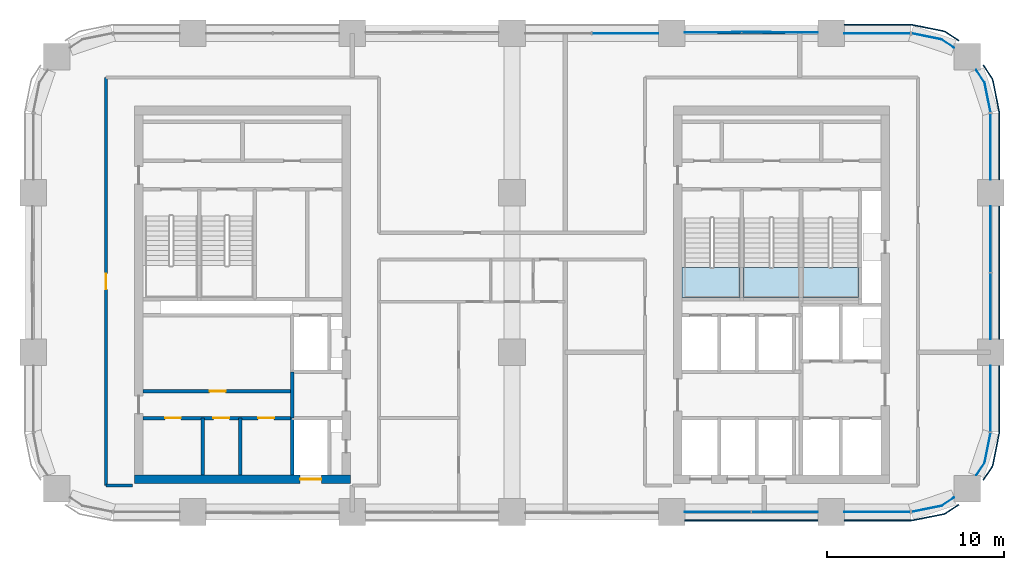
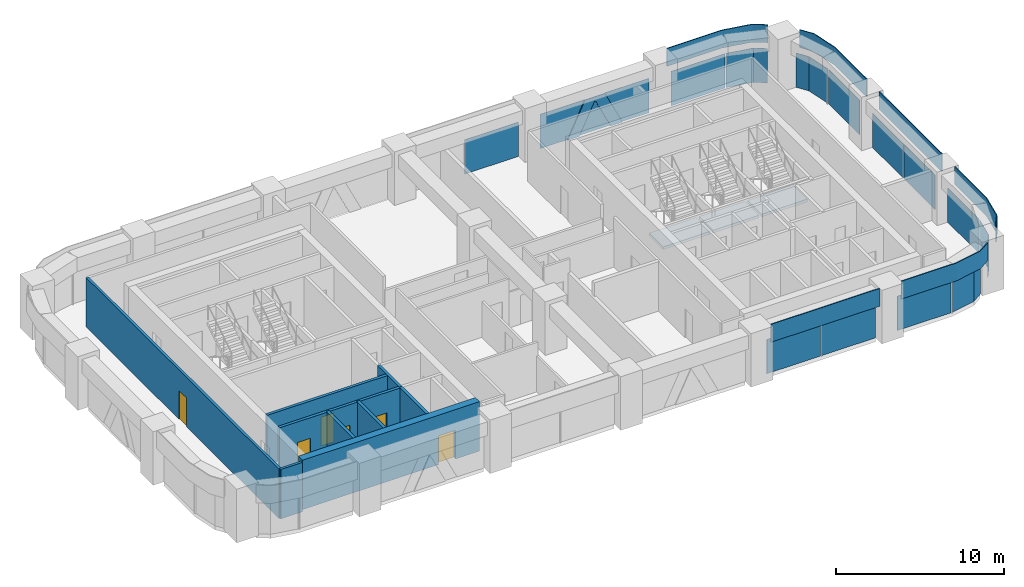
# One storey, part 7 of 18: 23 plates, 9 walls, 6 doors, 3 slabs, 6 openings, 11 elements without a shape of their own.
"""IFC4 building model written with IfcOpenShell, lengths in metres."""

from ifc_helpers import new_model, si_unit, direction, frame, frame_2d, origin, origin_2d, place, context, subcontext, project, spatial, polyline, rectangle, outline, extrude, material, layer, layer_set, type_object, element, fill, aggregate, save


model = new_model("IFC4")

# Units and contexts
model_context = context("Model", 3, precision=1e-05, world=origin(), true_north=direction((0.0, 1.0)))
body_context = subcontext(model_context, "Body", "Model", "MODEL_VIEW")
ifc_project = project(units=[si_unit("LENGTHUNIT", "METRE"), si_unit("AREAUNIT", "SQUARE_METRE"), si_unit("VOLUMEUNIT", "CUBIC_METRE"), si_unit("PLANEANGLEUNIT", "RADIAN"), si_unit("MASSUNIT", "GRAM", prefix="KILO")], contexts=[model_context])

# Site, building, storey
site_placement = place(None, origin())
site = spatial("IfcSite", under=ifc_project, at=site_placement, CompositionType="ELEMENT")
building_placement = place(site_placement, origin())
building = spatial("IfcBuilding", under=site, at=building_placement, Name="Tessera Arch", CompositionType="ELEMENT")
storey_placement = place(building_placement, frame((0.0, 0.0, 154.39990234375)))
storey = spatial("IfcBuildingStorey", under=building, at=storey_placement, Name="L36", CompositionType="ELEMENT", Elevation=154.39990234375)

# Curtain wall, plates
ifc_material_1 = material(Name="CW1 curtain wall")
curtain_wall_type_1 = type_object("IfcCurtainWallType", Name="CW1 curtain wall", PredefinedType="NOTDEFINED", material=ifc_material_1)
curtain_wall_1_placement = place(storey_placement, origin())
curtain_wall_1 = element("IfcCurtainWall", 1, at=curtain_wall_1_placement, inside=storey, type_object=curtain_wall_type_1, Name="CW1 curtain wall E54.27/0 L36", PredefinedType="NOTDEFINED")
ifc_material_2 = material(Name="Clear low-e glass", Category="glass")
ifc_material_3 = material(Name="Clear low-e glass", Category="glass")
ifc_layer_1 = layer(ifc_material_3, 0.028076171875)
ifc_layer_set_1 = layer_set([ifc_layer_1], Name="CW1 glass panel")
plate_type_1 = type_object("IfcPlateType", Name="CW1 glass panel", PredefinedType="CURTAIN_PANEL", material=ifc_layer_set_1)
plate_1_placement = place(storey_placement, frame((54.0, 38.610107421875, 0.0), z_axis=(0.0, 0.0, 1.0), x_axis=(0.0, 1.0, 0.0)))
plate_1 = element("IfcPlate", 2, at=plate_1_placement, type_object=plate_type_1, material=ifc_material_2, Name="CW1 glass panel E54.27/0 1.1.1", PredefinedType="CURTAIN_PANEL", context=body_context, shape_type="SweptSolid", body=[
    extrude(rectangle(XDim=3.719970703125, YDim=0.028076171875, at=origin_2d()), origin(), (0.0, 0.0, 1.0), 2.5),
])
plate_2_placement = place(storey_placement, frame((54.0, 42.389892578125, 0.0), z_axis=(0.0, 0.0, 1.0), x_axis=(0.0, 1.0, 0.0)))
plate_2 = element("IfcPlate", 3, at=plate_2_placement, type_object=plate_type_1, material=ifc_material_2, Name="CW1 glass panel E54.27/0 1.2.1", PredefinedType="CURTAIN_PANEL", context=body_context, shape_type="SweptSolid", body=[
    extrude(rectangle(XDim=3.719970703125, YDim=0.028076171875, at=origin_2d()), origin(), (0.0, 0.0, 1.0), 2.5),
])

# Curtain wall, plate
curtain_wall_2_placement = place(storey_placement, origin())
curtain_wall_2 = element("IfcCurtainWall", 4, at=curtain_wall_2_placement, inside=storey, type_object=curtain_wall_type_1, Name="CW1 curtain wall N54.0/2 L36", PredefinedType="NOTDEFINED")
plate_3_placement = place(storey_placement, frame((33.389892578125, 54.0, 0.0), z_axis=(0.0, 0.0, 1.0), x_axis=(-1.0, 0.0, 0.0)))
plate_3 = element("IfcPlate", 5, at=plate_3_placement, type_object=plate_type_1, material=ifc_material_2, Name="CW1 glass panel N54.0/2 1.1.1", PredefinedType="CURTAIN_PANEL", context=body_context, shape_type="SweptSolid", body=[
    extrude(rectangle(XDim=3.719970703125, YDim=0.028076171875, at=origin_2d()), origin(), (0.0, 0.0, 1.0), 2.5),
])
aggregate(curtain_wall_2, [plate_3])

# Curtain wall, plates
curtain_wall_3_placement = place(storey_placement, origin())
curtain_wall_3 = element("IfcCurtainWall", 6, at=curtain_wall_3_placement, inside=storey, type_object=curtain_wall_type_1, Name="CW1 curtain wall S27.0/4 L36", PredefinedType="NOTDEFINED")
plate_4_placement = place(storey_placement, frame((38.610107421875, 27.0, 0.0), z_axis=(0.0, 0.0, 1.0), x_axis=(1.0, 0.0, 0.0)))
plate_4 = element("IfcPlate", 7, at=plate_4_placement, type_object=plate_type_1, material=ifc_material_2, Name="CW1 glass panel S27.0/4 1.1.1", PredefinedType="CURTAIN_PANEL", context=body_context, shape_type="SweptSolid", body=[
    extrude(rectangle(XDim=3.719970703125, YDim=0.028076171875, at=origin_2d()), origin(), (0.0, 0.0, 1.0), 2.5),
])
plate_5_placement = place(storey_placement, frame((42.389892578125, 27.0, 0.0), z_axis=(0.0, 0.0, 1.0), x_axis=(1.0, 0.0, 0.0)))
plate_5 = element("IfcPlate", 8, at=plate_5_placement, type_object=plate_type_1, material=ifc_material_2, Name="CW1 glass panel S27.0/4 1.2.1", PredefinedType="CURTAIN_PANEL", context=body_context, shape_type="SweptSolid", body=[
    extrude(rectangle(XDim=3.719970703125, YDim=0.028076171875, at=origin_2d()), origin(), (0.0, 0.0, 1.0), 2.5),
])

# Plate
ifc_material_4 = material(Name="Pale anodised aluminium panel", Category="aluminium")
ifc_layer_2 = layer(ifc_material_4, 0.06005859375)
ifc_layer_set_2 = layer_set([ifc_layer_2], Name="CW1 spandrel panel")
plate_type_2 = type_object("IfcPlateType", Name="CW1 spandrel panel", PredefinedType="CURTAIN_PANEL", material=ifc_layer_set_2)
plate_6_placement = place(storey_placement, frame((54.47998046875, 40.5, 2.60009765625), z_axis=(0.0, 0.0, 1.0), x_axis=(0.0, 1.0, 0.0)))
plate_6 = element("IfcPlate", 9, at=plate_6_placement, type_object=plate_type_2, Name="CW1 spandrel panel E54.27/0", PredefinedType="CURTAIN_PANEL", context=body_context, shape_type="SweptSolid", body=[
    extrude(rectangle(XDim=7.5, YDim=0.06005859375, at=origin_2d()), origin(), (0.0, 0.0, 1.0), 1.300048828125),
])

aggregate(curtain_wall_1, [plate_1, plate_2, plate_6])

plate_7_placement = place(storey_placement, frame((40.5, 26.52001953125, 2.60009765625), z_axis=(0.0, 0.0, 1.0), x_axis=(1.0, 0.0, 0.0)))
plate_7 = element("IfcPlate", 10, at=plate_7_placement, type_object=plate_type_2, Name="CW1 spandrel panel S27.0/4", PredefinedType="CURTAIN_PANEL", context=body_context, shape_type="SweptSolid", body=[
    extrude(rectangle(XDim=7.5, YDim=0.06005859375, at=origin_2d()), origin(), (0.0, 0.0, 1.0), 1.300048828125),
])

aggregate(curtain_wall_3, [plate_4, plate_5, plate_7])

# Curtain wall, plates
ifc_material_5 = material(Name="CW2 curtain wall")
curtain_wall_type_2 = type_object("IfcCurtainWallType", Name="CW2 curtain wall", PredefinedType="NOTDEFINED", material=ifc_material_5)
curtain_wall_4_placement = place(storey_placement, origin())
curtain_wall_4 = element("IfcCurtainWall", 11, at=curtain_wall_4_placement, inside=storey, type_object=curtain_wall_type_2, Name="CW2 curtain wall E54.27/1 L36", PredefinedType="NOTDEFINED")
ifc_material_6 = material(Name="Clear low-e glass", Category="glass")
ifc_layer_3 = layer(ifc_material_6, 0.028076171875)
ifc_layer_set_3 = layer_set([ifc_layer_3], Name="CW2 glass panel")
plate_type_3 = type_object("IfcPlateType", Name="CW2 glass panel", PredefinedType="CURTAIN_PANEL", material=ifc_layer_set_3)
plate_8_placement = place(storey_placement, frame((54.0, 47.60498046875, 0.0), z_axis=(0.0, 0.0, 1.0), x_axis=(0.0, 1.0, 0.0)))
plate_8 = element("IfcPlate", 12, at=plate_8_placement, type_object=plate_type_3, material=ifc_material_2, Name="CW2 glass panel E54.27/1 1.1", PredefinedType="CURTAIN_PANEL", context=body_context, shape_type="SweptSolid", body=[
    extrude(rectangle(XDim=3.7099609375, YDim=0.028076171875, at=origin_2d()), origin(), (0.0, 0.0, 1.0), 2.5),
])
plate_9_placement = place(storey_placement, origin())
plate_9 = element("IfcPlate", 13, at=plate_9_placement, type_object=plate_type_3, material=ifc_material_2, Name="CW2 curved glass panel E54.27/1 2.1", PredefinedType="CURTAIN_PANEL", context=body_context, shape_type="SweptSolid", body=[
    extrude(outline(polyline([(53.644287109375, 51.216552734375), (53.978515625, 49.53662109375), (54.005859375, 49.5419921875), (53.670654296875, 51.2275390625), (53.19482421875, 51.939697265625), (53.17138671875, 51.92431640625), (53.644287109375, 51.216552734375)])), origin(), (0.0, 0.0, 1.0), 2.5),
])

curtain_wall_5_placement = place(storey_placement, origin())
curtain_wall_5 = element("IfcCurtainWall", 14, at=curtain_wall_5_placement, inside=storey, type_object=curtain_wall_type_2, Name="CW2 curtain wall N54.0/0 L36", PredefinedType="NOTDEFINED")
plate_10_placement = place(storey_placement, frame((47.60498046875, 54.0, 0.0), z_axis=(0.0, 0.0, 1.0), x_axis=(-1.0, 0.0, 0.0)))
plate_10 = element("IfcPlate", 15, at=plate_10_placement, type_object=plate_type_3, material=ifc_material_2, Name="CW2 glass panel N54.0/0 1.1", PredefinedType="CURTAIN_PANEL", context=body_context, shape_type="SweptSolid", body=[
    extrude(rectangle(XDim=3.7099609375, YDim=0.028076171875, at=origin_2d()), origin(), (0.0, 0.0, 1.0), 2.5),
])
plate_11_placement = place(storey_placement, origin())
plate_11 = element("IfcPlate", 16, at=plate_11_placement, type_object=plate_type_3, material=ifc_material_2, Name="CW2 curved glass panel N54.0/0 2.1", PredefinedType="CURTAIN_PANEL", context=body_context, shape_type="SweptSolid", body=[
    extrude(outline(polyline([(51.216552734375, 53.644287109375), (51.92431640625, 53.17138671875), (51.939697265625, 53.19482421875), (51.2275390625, 53.670654296875), (49.5419921875, 54.005859375), (49.53662109375, 53.978515625), (51.216552734375, 53.644287109375)])), origin(), (0.0, 0.0, 1.0), 2.5),
])

curtain_wall_6_placement = place(storey_placement, origin())
curtain_wall_6 = element("IfcCurtainWall", 17, at=curtain_wall_6_placement, inside=storey, type_object=curtain_wall_type_2, Name="CW2 curtain wall S27.0/5 L36", PredefinedType="NOTDEFINED")
plate_12_placement = place(storey_placement, frame((47.60498046875, 27.0, 0.0), z_axis=(0.0, 0.0, 1.0), x_axis=(1.0, 0.0, 0.0)))
plate_12 = element("IfcPlate", 18, at=plate_12_placement, type_object=plate_type_3, material=ifc_material_2, Name="CW2 glass panel S27.0/5 1.1", PredefinedType="CURTAIN_PANEL", context=body_context, shape_type="SweptSolid", body=[
    extrude(rectangle(XDim=3.7099609375, YDim=0.028076171875, at=origin_2d()), origin(), (0.0, 0.0, 1.0), 2.5),
])
plate_13_placement = place(storey_placement, origin())
plate_13 = element("IfcPlate", 19, at=plate_13_placement, type_object=plate_type_3, material=ifc_material_2, Name="CW2 curved glass panel S27.0/5 2.1", PredefinedType="CURTAIN_PANEL", context=body_context, shape_type="SweptSolid", body=[
    extrude(outline(polyline([(51.216552734375, 27.355712890625), (49.53662109375, 27.021484375), (49.5419921875, 26.994140625), (51.2275390625, 27.329345703125), (51.939697265625, 27.80517578125), (51.92431640625, 27.82861328125), (51.216552734375, 27.355712890625)])), origin(), (0.0, 0.0, 1.0), 2.5),
])

curtain_wall_7_placement = place(storey_placement, origin())
curtain_wall_7 = element("IfcCurtainWall", 20, at=curtain_wall_7_placement, inside=storey, type_object=curtain_wall_type_2, Name="CW2 curtain wall E54.27/2 L36", PredefinedType="NOTDEFINED")
plate_14_placement = place(storey_placement, frame((54.0, 33.39501953125, 0.0), z_axis=(0.0, 0.0, 1.0), x_axis=(0.0, 1.0, 0.0)))
plate_14 = element("IfcPlate", 21, at=plate_14_placement, type_object=plate_type_3, material=ifc_material_2, Name="CW2 glass panel E54.27/2 1.1", PredefinedType="CURTAIN_PANEL", context=body_context, shape_type="SweptSolid", body=[
    extrude(rectangle(XDim=3.7099609375, YDim=0.028076171875, at=origin_2d()), origin(), (0.0, 0.0, 1.0), 2.5),
])
plate_15_placement = place(storey_placement, origin())
plate_15 = element("IfcPlate", 22, at=plate_15_placement, type_object=plate_type_3, material=ifc_material_2, Name="CW2 curved glass panel E54.27/2 2.1", PredefinedType="CURTAIN_PANEL", context=body_context, shape_type="SweptSolid", body=[
    extrude(outline(polyline([(53.644287109375, 29.783447265625), (53.17138671875, 29.07568359375), (53.19482421875, 29.060302734375), (53.670654296875, 29.7724609375), (54.005859375, 31.4580078125), (53.978515625, 31.46337890625), (53.644287109375, 29.783447265625)])), origin(), (0.0, 0.0, 1.0), 2.5),
])

# Plate
ifc_material_7 = material(Name="Pale anodised aluminium panel", Category="aluminium")
ifc_layer_4 = layer(ifc_material_7, 0.06005859375)
ifc_layer_set_4 = layer_set([ifc_layer_4], Name="CW2 spandrel panel")
plate_type_4 = type_object("IfcPlateType", Name="CW2 spandrel panel", PredefinedType="CURTAIN_PANEL", material=ifc_layer_set_4)
plate_16_placement = place(storey_placement, frame((0.0, 0.0, 2.60009765625)))
plate_16 = element("IfcPlate", 23, at=plate_16_placement, type_object=plate_type_4, Name="CW2 spandrel panel E54.27/1", PredefinedType="CURTAIN_PANEL", context=body_context, shape_type="SweptSolid", body=[
    extrude(outline(polyline([(54.449951171875, 49.499267578125), (54.449951171875, 45.75), (54.510009765625, 45.75), (54.510009765625, 49.500732421875), (54.507568359375, 49.550048828125), (54.500244140625, 49.598876953125), (54.157470703125, 51.322265625), (54.1455078125, 51.3701171875), (54.128662109375, 51.417236328125), (54.107421875, 51.462646484375), (54.08203125, 51.5048828125), (53.607177734375, 52.21533203125), (53.55712890625, 52.18212890625), (54.03125, 51.47265625), (54.054443359375, 51.434326171875), (54.0732421875, 51.394287109375), (54.088134765625, 51.352783203125), (54.09912109375, 51.30908203125), (54.441162109375, 49.588623046875), (54.44775390625, 49.544189453125), (54.449951171875, 49.499267578125)])), origin(), (0.0, 0.0, 1.0), 1.300048828125),
])

aggregate(curtain_wall_4, [plate_8, plate_9, plate_16])

plate_17_placement = place(storey_placement, frame((0.0, 0.0, 2.60009765625)))
plate_17 = element("IfcPlate", 24, at=plate_17_placement, type_object=plate_type_4, Name="CW2 spandrel panel N54.0/0", PredefinedType="CURTAIN_PANEL", context=body_context, shape_type="SweptSolid", body=[
    extrude(outline(polyline([(51.47265625, 54.03125), (52.18212890625, 53.55712890625), (52.21533203125, 53.607177734375), (51.5048828125, 54.08203125), (51.462646484375, 54.107421875), (51.417236328125, 54.128662109375), (51.3701171875, 54.1455078125), (51.322265625, 54.157470703125), (49.598876953125, 54.500244140625), (49.550048828125, 54.507568359375), (49.500732421875, 54.510009765625), (45.75, 54.510009765625), (45.75, 54.449951171875), (49.499267578125, 54.449951171875), (49.544189453125, 54.44775390625), (49.588623046875, 54.441162109375), (51.30908203125, 54.09912109375), (51.352783203125, 54.088134765625), (51.394287109375, 54.0732421875), (51.434326171875, 54.054443359375), (51.47265625, 54.03125)])), origin(), (0.0, 0.0, 1.0), 1.300048828125),
])

aggregate(curtain_wall_5, [plate_10, plate_11, plate_17])

plate_18_placement = place(storey_placement, frame((0.0, 0.0, 2.60009765625)))
plate_18 = element("IfcPlate", 25, at=plate_18_placement, type_object=plate_type_4, Name="CW2 spandrel panel S27.0/5", PredefinedType="CURTAIN_PANEL", context=body_context, shape_type="SweptSolid", body=[
    extrude(outline(polyline([(49.499267578125, 26.550048828125), (45.75, 26.550048828125), (45.75, 26.489990234375), (49.500732421875, 26.489990234375), (49.550048828125, 26.492431640625), (49.598876953125, 26.499755859375), (51.322265625, 26.842529296875), (51.3701171875, 26.8544921875), (51.417236328125, 26.871337890625), (51.462646484375, 26.892578125), (51.5048828125, 26.91796875), (52.21533203125, 27.392822265625), (52.18212890625, 27.44287109375), (51.47265625, 26.96875), (51.434326171875, 26.945556640625), (51.394287109375, 26.9267578125), (51.352783203125, 26.911865234375), (51.30908203125, 26.90087890625), (49.588623046875, 26.558837890625), (49.544189453125, 26.55224609375), (49.499267578125, 26.550048828125)])), origin(), (0.0, 0.0, 1.0), 1.300048828125),
])

aggregate(curtain_wall_6, [plate_12, plate_13, plate_18])

plate_19_placement = place(storey_placement, frame((0.0, 0.0, 2.60009765625)))
plate_19 = element("IfcPlate", 26, at=plate_19_placement, type_object=plate_type_4, Name="CW2 spandrel panel E54.27/2", PredefinedType="CURTAIN_PANEL", context=body_context, shape_type="SweptSolid", body=[
    extrude(outline(polyline([(54.03125, 29.52734375), (53.55712890625, 28.81787109375), (53.607177734375, 28.78466796875), (54.08203125, 29.4951171875), (54.107421875, 29.537353515625), (54.128662109375, 29.582763671875), (54.1455078125, 29.6298828125), (54.157470703125, 29.677734375), (54.500244140625, 31.401123046875), (54.507568359375, 31.449951171875), (54.510009765625, 31.499267578125), (54.510009765625, 35.25), (54.449951171875, 35.25), (54.449951171875, 31.500732421875), (54.44775390625, 31.455810546875), (54.441162109375, 31.411376953125), (54.09912109375, 29.69091796875), (54.088134765625, 29.647216796875), (54.0732421875, 29.605712890625), (54.054443359375, 29.565673828125), (54.03125, 29.52734375)])), origin(), (0.0, 0.0, 1.0), 1.300048828125),
])

aggregate(curtain_wall_7, [plate_14, plate_15, plate_19])

# Curtain wall, plates
ifc_material_8 = material(Name="CW3 curtain wall")
curtain_wall_type_3 = type_object("IfcCurtainWallType", Name="CW3 curtain wall", PredefinedType="NOTDEFINED", material=ifc_material_8)
curtain_wall_8_placement = place(storey_placement, origin())
curtain_wall_8 = element("IfcCurtainWall", 27, at=curtain_wall_8_placement, inside=storey, type_object=curtain_wall_type_3, Name="CW3 curtain wall N54.0/1 L36", PredefinedType="NOTDEFINED")
ifc_material_9 = material(Name="Pale anodised aluminium panel", Category="aluminium")
ifc_layer_5 = layer(ifc_material_9, 0.06005859375)
ifc_layer_set_5 = layer_set([ifc_layer_5], Name="CW3 diagonal panel")
plate_type_5 = type_object("IfcPlateType", Name="CW3 diagonal panel", PredefinedType="CURTAIN_PANEL", material=ifc_layer_set_5)
plate_20_placement = place(storey_placement, frame((39.811279296875, 54.030029296875, 2.5), z_axis=(0.0, 1.0, 0.0), x_axis=(1.0, 0.0, 0.0)))
plate_20 = element("IfcPlate", 28, at=plate_20_placement, type_object=plate_type_5, Name="CW3 diagonal panel N54.0/1 1", PredefinedType="CURTAIN_PANEL", context=body_context, shape_type="SweptSolid", body=[
    extrude(outline(polyline([(0.0, 0.0), (1.37744140625, 0.0), (2.579345703125, 2.5), (1.77880859375, 2.5), (0.688720703125, 0.232421875), (-0.4013671875, 2.5), (-1.201904296875, 2.5), (0.0, 0.0)])), origin(), (0.0, 0.0, -1.0), 0.06005859375),
])
ifc_material_10 = material(Name="Clear low-e glass", Category="glass")
ifc_layer_6 = layer(ifc_material_10, 0.028076171875)
ifc_layer_set_6 = layer_set([ifc_layer_6], Name="CW3 glass panel")
plate_type_6 = type_object("IfcPlateType", Name="CW3 glass panel", PredefinedType="CURTAIN_PANEL", material=ifc_layer_set_6)
plate_21_placement = place(storey_placement, frame((44.25, 54.05810546875, 0.0), z_axis=(0.0, 1.0, 0.0), x_axis=(-1.0, 0.0, 0.0)))
plate_21 = element("IfcPlate", 29, at=plate_21_placement, type_object=plate_type_6, material=ifc_material_2, Name="CW3 triangulated glass panel N54.0/1 1", PredefinedType="CURTAIN_PANEL", context=body_context, shape_type="SweptSolid", body=[
    extrude(outline(polyline([(0.0, 0.0), (1.859375, 0.0), (3.061279296875, 2.5), (0.0, 2.5), (0.0, 0.0)])), origin(), (0.0, 0.0, -1.0), 0.028076171875),
])
plate_22_placement = place(storey_placement, frame((41.590087890625, 54.0859375, 0.0), z_axis=(0.0, 1.0, 0.0), x_axis=(-1.0, 0.0, 0.0)))
plate_22 = element("IfcPlate", 30, at=plate_22_placement, type_object=plate_type_6, material=ifc_material_2, Name="CW3 triangulated glass panel N54.0/1 2", PredefinedType="CURTAIN_PANEL", context=body_context, shape_type="SweptSolid", body=[
    extrude(outline(polyline([(0.0, 0.0), (2.18017578125, 0.0), (1.090087890625, 2.267578125), (0.0, 0.0)])), origin(), (0.0, 0.0, -1.0), 0.028076171875),
])
plate_23_placement = place(storey_placement, frame((36.75, 54.05810546875, 2.5), z_axis=(0.0, 1.0, 0.0), x_axis=(1.0, 0.0, 0.0)))
plate_23 = element("IfcPlate", 31, at=plate_23_placement, type_object=plate_type_6, material=ifc_material_2, Name="CW3 triangulated glass panel N54.0/1 3", PredefinedType="CURTAIN_PANEL", context=body_context, shape_type="SweptSolid", body=[
    extrude(outline(polyline([(0.0, 0.0), (3.061279296875, 0.0), (1.859375, 2.5), (0.0, 2.5), (0.0, 0.0)])), origin(), (0.0, 0.0, -1.0), 0.028076171875),
])
aggregate(curtain_wall_8, [plate_21, plate_22, plate_23, plate_20])

# Stair, slab
ifc_material_11 = material(Name="Concrete C40/50", Category="concrete")
stair_type = type_object("IfcStairType", Name="Dogleg stair 1520", PredefinedType="HALF_TURN_STAIR", material=ifc_material_11)
stair_1_placement = place(storey_placement, origin())
stair_1 = element("IfcStair", 32, at=stair_1_placement, inside=storey, type_object=stair_type, Name="L36 S1a", PredefinedType="HALF_TURN_STAIR")
ifc_material_12 = material(Name="Concrete C40/50", Category="concrete")
ifc_layer_7 = layer(ifc_material_12, 0.300048828125)
ifc_layer_set_7 = layer_set([ifc_layer_7], Name="Stair landing 300")
slab_type = type_object("IfcSlabType", Name="Stair landing 300", PredefinedType="LANDING", material=ifc_layer_set_7)
slab_1_placement = place(storey_placement, frame((0.0, 0.0, 1.75)))
slab_1 = element("IfcSlab", 33, at=slab_1_placement, type_object=slab_type, Name="S1a landing 1", PredefinedType="LANDING", context=body_context, shape_type="SweptSolid", body=[
    extrude(outline(polyline([(36.60009765625, 40.780029296875), (36.60009765625, 39.10009765625), (39.85009765625, 39.10009765625), (39.85009765625, 40.780029296875), (36.60009765625, 40.780029296875)])), origin(), (0.0, 0.0, 1.0), 0.2001953125),
])
aggregate(stair_1, [slab_1])

stair_2_placement = place(storey_placement, origin())
stair_2 = element("IfcStair", 34, at=stair_2_placement, inside=storey, type_object=stair_type, Name="L36 S1b", PredefinedType="HALF_TURN_STAIR")
slab_2_placement = place(storey_placement, frame((0.0, 0.0, 1.75)))
slab_2 = element("IfcSlab", 35, at=slab_2_placement, type_object=slab_type, Name="S1b landing 1", PredefinedType="LANDING", context=body_context, shape_type="SweptSolid", body=[
    extrude(outline(polyline([(40.050048828125, 40.780029296875), (40.050048828125, 39.10009765625), (43.199951171875, 39.10009765625), (43.199951171875, 40.780029296875), (40.050048828125, 40.780029296875)])), origin(), (0.0, 0.0, 1.0), 0.2001953125),
])
aggregate(stair_2, [slab_2])

stair_3_placement = place(storey_placement, origin())
stair_3 = element("IfcStair", 36, at=stair_3_placement, inside=storey, type_object=stair_type, Name="L36 S1c", PredefinedType="HALF_TURN_STAIR")
slab_3_placement = place(storey_placement, frame((0.0, 0.0, 1.75)))
slab_3 = element("IfcSlab", 37, at=slab_3_placement, type_object=slab_type, Name="S1c landing 1", PredefinedType="LANDING", context=body_context, shape_type="SweptSolid", body=[
    extrude(outline(polyline([(43.39990234375, 40.780029296875), (43.39990234375, 39.10009765625), (46.550048828125, 39.10009765625), (46.550048828125, 40.780029296875), (43.39990234375, 40.780029296875)])), origin(), (0.0, 0.0, 1.0), 0.2001953125),
])
aggregate(stair_3, [slab_3])

# Walls
ifc_material_13 = material(Name="Gypsum board on steel stud", Category="steel")
ifc_layer_8 = layer(ifc_material_13, 0.125)
ifc_layer_set_8 = layer_set([ifc_layer_8], Name="Core partition 125 EI 60")
wall_type_1 = type_object("IfcWallType", Name="Core partition 125 EI 60", PredefinedType="PARTITIONING", material=ifc_layer_set_8)
for number, where, z_axis, x_axis, name in (
    (38, (9.56005859375, 29.10009765625, 0.0), (0.0, 0.0, 1.0), (0.0, 1.0, 0.0), "L36 C2 partition wall 3"),
    (39, (11.659912109375, 29.10009765625, 0.0), (0.0, 0.0, 1.0), (0.0, 1.0, 0.0), "L36 C2 partition wall 4"),
):
    element("IfcWall", number, at=place(storey_placement, frame(where, z_axis=z_axis, x_axis=x_axis)), inside=storey, type_object=wall_type_1, Name=name, PredefinedType="PARTITIONING", context=body_context, shape_type="SweptSolid", body=[
        extrude(rectangle(XDim=3.199951171875, YDim=0.199951171875, at=frame_2d((1.60009765625, 0.0))), origin(), (0.0, 0.0, 1.0), 3.60009765625),
    ])
wall_1_placement = place(storey_placement, frame((14.60009765625, 32.300048828125, 0.0), z_axis=(0.0, 0.0, 1.0), x_axis=(0.0, 1.0, 0.0)))
element("IfcWall", 40, at=wall_1_placement, inside=storey, type_object=wall_type_1, Name="L36 C2 partition wall 8", PredefinedType="PARTITIONING", context=body_context, shape_type="SweptSolid", body=[
    extrude(rectangle(XDim=2.599853515625, YDim=0.199951171875, at=frame_2d((1.2998046875, 0.0))), origin(), (0.0, 0.0, 1.0), 3.60009765625),
])

# Wall, openings, doors
wall_2_placement = place(storey_placement, frame((6.199951171875, 32.300048828125, 0.0), z_axis=(0.0, 0.0, 1.0), x_axis=(1.0, 0.0, 0.0)))
wall_2 = element("IfcWall", 41, at=wall_2_placement, inside=storey, type_object=wall_type_1, Name="L36 C2 partition wall 14", PredefinedType="PARTITIONING", context=body_context, shape_type="SweptSolid", body=[
    extrude(rectangle(XDim=8.400146484375, YDim=0.199951171875, at=frame_2d((4.2001953125, 0.0))), origin(), (0.0, 0.0, 1.0), 3.60009765625),
])
opening_1_placement = place(wall_2_placement, frame((1.22998046875, 0.0, 0.0)))
opening_1 = element("IfcOpeningElement", 42, at=opening_1_placement, cuts=wall_2, Name="Opening L36-C34", PredefinedType="OPENING", context=body_context, shape_type="SweptSolid", body=[
    extrude(rectangle(XDim=0.89990234375, YDim=2.10009765625, at=frame_2d((0.449951171875, 1.050048828125))), frame((0.0, 0.10986328125, 0.0), z_axis=(0.0, -1.0, 0.0), x_axis=(1.0, 0.0, 0.0)), (0.0, 0.0, 1.0), 0.219970703125),
])
opening_2_placement = place(wall_2_placement, frame((3.9599609375, 0.0, 0.0)))
opening_2 = element("IfcOpeningElement", 43, at=opening_2_placement, cuts=wall_2, Name="Opening L36-C35", PredefinedType="OPENING", context=body_context, shape_type="SweptSolid", body=[
    extrude(rectangle(XDim=0.89990234375, YDim=2.10009765625, at=frame_2d((0.449951171875, 1.050048828125))), frame((0.0, 0.10986328125, 0.0), z_axis=(0.0, -1.0, 0.0), x_axis=(1.0, 0.0, 0.0)), (0.0, 0.0, 1.0), 0.219970703125),
])
opening_3_placement = place(wall_2_placement, frame((6.47998046875, 0.0, 0.0)))
opening_3 = element("IfcOpeningElement", 44, at=opening_3_placement, cuts=wall_2, Name="Opening L36-C36", PredefinedType="OPENING", context=body_context, shape_type="SweptSolid", body=[
    extrude(rectangle(XDim=0.89990234375, YDim=2.10009765625, at=frame_2d((0.449951171875, 1.050048828125))), frame((0.0, 0.10986328125, 0.0), z_axis=(0.0, -1.0, 0.0), x_axis=(1.0, 0.0, 0.0)), (0.0, 0.0, 1.0), 0.219970703125),
])
ifc_material_14 = material(Name="Steel door leaf", Category="steel")
door_type_1 = type_object("IfcDoorType", Name="Store door FD30S 900 x 2100", OperationType="SINGLE_SWING_LEFT", PredefinedType="DOOR", material=ifc_material_14)
door_1_placement = place(opening_1_placement, origin())
door_1 = element("IfcDoor", 45, at=door_1_placement, inside=storey, type_object=door_type_1, Name="L36 C2 door 14 C34 type D09", OperationType="SINGLE_SWING_LEFT", OverallHeight=2.10009765625, OverallWidth=0.89990234375, PredefinedType="DOOR", context=body_context, shape_type="SweptSolid", body=[
    extrude(rectangle(XDim=0.89990234375, YDim=2.10009765625, at=frame_2d((0.449951171875, 1.050048828125))), frame((0.0, 0.02490234375, 0.0), z_axis=(0.0, -1.0, 0.0), x_axis=(1.0, 0.0, 0.0)), (0.0, 0.0, 1.0), 0.050048828125),
])
fill(opening_1, door_1)
door_2_placement = place(opening_2_placement, origin())
door_2 = element("IfcDoor", 46, at=door_2_placement, inside=storey, type_object=door_type_1, Name="L36 C2 door 15 C35 type D09", OperationType="SINGLE_SWING_RIGHT", OverallHeight=2.10009765625, OverallWidth=0.89990234375, PredefinedType="DOOR", context=body_context, shape_type="SweptSolid", body=[
    extrude(rectangle(XDim=0.89990234375, YDim=2.10009765625, at=frame_2d((0.449951171875, 1.050048828125))), frame((0.0, 0.02490234375, 0.0), z_axis=(0.0, -1.0, 0.0), x_axis=(1.0, 0.0, 0.0)), (0.0, 0.0, 1.0), 0.050048828125),
])
fill(opening_2, door_2)
door_3_placement = place(opening_3_placement, origin())
door_3 = element("IfcDoor", 47, at=door_3_placement, inside=storey, type_object=door_type_1, Name="L36 C2 door 16 C36 type D09", OperationType="SINGLE_SWING_RIGHT", OverallHeight=2.10009765625, OverallWidth=0.89990234375, PredefinedType="DOOR", context=body_context, shape_type="SweptSolid", body=[
    extrude(rectangle(XDim=0.89990234375, YDim=2.10009765625, at=frame_2d((0.449951171875, 1.050048828125))), frame((0.0, 0.02490234375, 0.0), z_axis=(0.0, -1.0, 0.0), x_axis=(1.0, 0.0, 0.0)), (0.0, 0.0, 1.0), 0.050048828125),
])
fill(opening_3, door_3)

# Wall, opening, door
wall_3_placement = place(storey_placement, frame((6.199951171875, 33.800048828125, 0.0), z_axis=(0.0, 0.0, 1.0), x_axis=(1.0, 0.0, 0.0)))
wall_3 = element("IfcWall", 48, at=wall_3_placement, inside=storey, type_object=wall_type_1, Name="L36 C2 partition wall 16", PredefinedType="PARTITIONING", context=body_context, shape_type="SweptSolid", body=[
    extrude(rectangle(XDim=8.400146484375, YDim=0.199951171875, at=frame_2d((4.2001953125, 0.0))), origin(), (0.0, 0.0, 1.0), 3.60009765625),
])
opening_4_placement = place(wall_3_placement, frame((3.75, 0.0, 0.0)))
opening_4 = element("IfcOpeningElement", 49, at=opening_4_placement, cuts=wall_3, Name="Opening L36-C37", PredefinedType="OPENING", context=body_context, shape_type="SweptSolid", body=[
    extrude(rectangle(XDim=0.89990234375, YDim=2.10009765625, at=frame_2d((0.449951171875, 1.050048828125))), frame((0.0, 0.10986328125, 0.0), z_axis=(0.0, -1.0, 0.0), x_axis=(1.0, 0.0, 0.0)), (0.0, 0.0, 1.0), 0.219970703125),
])
door_4_placement = place(opening_4_placement, origin())
door_4 = element("IfcDoor", 50, at=door_4_placement, inside=storey, type_object=door_type_1, Name="L36 C2 door 17 C37 type D09", OperationType="SINGLE_SWING_RIGHT", OverallHeight=2.10009765625, OverallWidth=0.89990234375, PredefinedType="DOOR", context=body_context, shape_type="SweptSolid", body=[
    extrude(rectangle(XDim=0.89990234375, YDim=2.10009765625, at=frame_2d((0.449951171875, 1.050048828125))), frame((0.0, 0.02490234375, 0.0), z_axis=(0.0, -1.0, 0.0), x_axis=(1.0, 0.0, 0.0)), (0.0, 0.0, 1.0), 0.050048828125),
])
fill(opening_4, door_4)

ifc_material_15 = material(Name="Concrete C60/75", Category="concrete")
ifc_layer_9 = layer(ifc_material_15, 0.5)
ifc_layer_set_9 = layer_set([ifc_layer_9], Name="Core shell wall 500 C60-75")
wall_type_2 = type_object("IfcWallType", Name="Core shell wall 500 C60-75", PredefinedType="SHEAR", material=ifc_layer_set_9)
wall_4_placement = place(storey_placement, frame((5.699951171875, 28.85009765625, 0.0), z_axis=(0.0, 0.0, 1.0), x_axis=(1.0, 0.0, 0.0)))
wall_4 = element("IfcWall", 51, at=wall_4_placement, inside=storey, type_object=wall_type_2, Name="L36 C2 core wall S", PredefinedType="SHEAR", context=body_context, shape_type="SweptSolid", body=[
    extrude(rectangle(XDim=12.199951171875, YDim=0.5, at=frame_2d((6.10009765625, 0.0))), origin(), (0.0, 0.0, 1.0), 3.60009765625),
])
opening_5_placement = place(wall_4_placement, frame((9.35009765625, 0.0, 0.0)))
opening_5 = element("IfcOpeningElement", 52, at=opening_5_placement, cuts=wall_4, Name="Opening L36-C21", PredefinedType="OPENING", context=body_context, shape_type="SweptSolid", body=[
    extrude(rectangle(XDim=1.199951171875, YDim=2.10009765625, at=frame_2d((0.60009765625, 1.050048828125))), frame((0.0, 0.260009765625, 0.0), z_axis=(0.0, -1.0, 0.0), x_axis=(1.0, 0.0, 0.0)), (0.0, 0.0, 1.0), 0.52001953125),
])
ifc_material_16 = material(Name="Stainless steel AISI 304", Category="steel")
door_type_2 = type_object("IfcDoorType", Name="Sliding landing door 1200 x 2100", OperationType="SLIDING_TO_LEFT", PredefinedType="DOOR", material=ifc_material_16)
door_5_placement = place(opening_5_placement, origin())
door_5 = element("IfcDoor", 53, at=door_5_placement, inside=storey, type_object=door_type_2, Name="L36 HR7 lift landing door C21 type LD", OperationType="SLIDING_TO_LEFT", OverallHeight=2.10009765625, OverallWidth=1.199951171875, PredefinedType="DOOR", context=body_context, shape_type="SweptSolid", body=[
    extrude(rectangle(XDim=1.199951171875, YDim=2.10009765625, at=frame_2d((0.60009765625, 1.050048828125))), frame((0.0, 0.02490234375, 0.0), z_axis=(0.0, -1.0, 0.0), x_axis=(1.0, 0.0, 0.0)), (0.0, 0.0, 1.0), 0.050048828125),
])
fill(opening_5, door_5)

# Wall
ifc_material_17 = material(Name="Gypsum board on deep steel stud with mineral wool", Category="steel")
ifc_layer_10 = layer(ifc_material_17, 0.175048828125)
ifc_layer_set_10 = layer_set([ifc_layer_10], Name="Corridor wall 175 EI 60")
wall_type_3 = type_object("IfcWallType", Name="Corridor wall 175 EI 60", PredefinedType="PARTITIONING", material=ifc_layer_set_10)
wall_5_placement = place(storey_placement, frame((4.10009765625, 28.5, 0.0), z_axis=(0.0, 0.0, 1.0), x_axis=(1.0, 0.0, 0.0)))
element("IfcWall", 54, at=wall_5_placement, inside=storey, type_object=wall_type_3, Name="L36 partition 1", PredefinedType="PARTITIONING", context=body_context, shape_type="SweptSolid", body=[
    extrude(rectangle(XDim=1.5, YDim=0.175048828125, at=frame_2d((0.75, 0.0))), origin(), (0.0, 0.0, 1.0), 3.60009765625),
])

# Wall, opening, door
wall_6_placement = place(storey_placement, frame((4.10009765625, 28.5, 0.0), z_axis=(0.0, 0.0, 1.0), x_axis=(0.0, 1.0, 0.0)))
wall_6 = element("IfcWall", 55, at=wall_6_placement, inside=storey, type_object=wall_type_3, Name="L36 partition 9", PredefinedType="PARTITIONING", context=body_context, shape_type="SweptSolid", body=[
    extrude(rectangle(XDim=23.0, YDim=0.175048828125, at=frame_2d((11.5, 0.0))), origin(), (0.0, 0.0, 1.0), 3.60009765625),
])
opening_6_placement = place(wall_6_placement, frame((11.050048828125, 0.0, 0.0)))
opening_6 = element("IfcOpeningElement", 56, at=opening_6_placement, cuts=wall_6, Name="Opening L36-D011", PredefinedType="OPENING", context=body_context, shape_type="SweptSolid", body=[
    extrude(rectangle(XDim=0.89990234375, YDim=2.10009765625, at=frame_2d((0.449951171875, 1.050048828125))), frame((0.0, 0.097412109375, 0.0), z_axis=(0.0, -1.0, 0.0), x_axis=(1.0, 0.0, 0.0)), (0.0, 0.0, 1.0), 0.195068359375),
])
ifc_material_18 = material(Name="Timber door leaf", Category="wood")
door_type_3 = type_object("IfcDoorType", Name="Room door 900 x 2100", OperationType="SINGLE_SWING_LEFT", PredefinedType="DOOR", material=ifc_material_18)
door_6_placement = place(opening_6_placement, origin())
door_6 = element("IfcDoor", 57, at=door_6_placement, inside=storey, type_object=door_type_3, Name="L36 door D011 type D01", OperationType="SINGLE_SWING_LEFT", OverallHeight=2.10009765625, OverallWidth=0.89990234375, PredefinedType="DOOR", context=body_context, shape_type="SweptSolid", body=[
    extrude(rectangle(XDim=0.89990234375, YDim=2.10009765625, at=frame_2d((0.449951171875, 1.050048828125))), frame((0.0, 0.02490234375, 0.0), z_axis=(0.0, -1.0, 0.0), x_axis=(1.0, 0.0, 0.0)), (0.0, 0.0, 1.0), 0.050048828125),
])
fill(opening_6, door_6)

# Wall
ifc_material_19 = material(Name="Concrete C40/50", Category="concrete")
ifc_layer_11 = layer(ifc_material_19, 0.199951171875)
ifc_layer_set_11 = layer_set([ifc_layer_11], Name="Shaft wall 200 EI 120")
wall_type_4 = type_object("IfcWallType", Name="Shaft wall 200 EI 120", PredefinedType="SOLIDWALL", material=ifc_layer_set_11)
wall_7_placement = place(storey_placement, frame((14.60009765625, 29.10009765625, 0.0), z_axis=(0.0, 0.0, 1.0), x_axis=(0.0, 1.0, 0.0)))
element("IfcWall", 58, at=wall_7_placement, inside=storey, type_object=wall_type_4, Name="L36 C2 shaft wall 9", PredefinedType="SOLIDWALL", context=body_context, shape_type="SweptSolid", body=[
    extrude(rectangle(XDim=3.199951171875, YDim=0.199951171875, at=frame_2d((1.60009765625, 0.0))), origin(), (0.0, 0.0, 1.0), 3.60009765625),
])

save(model, "model.ifc")
